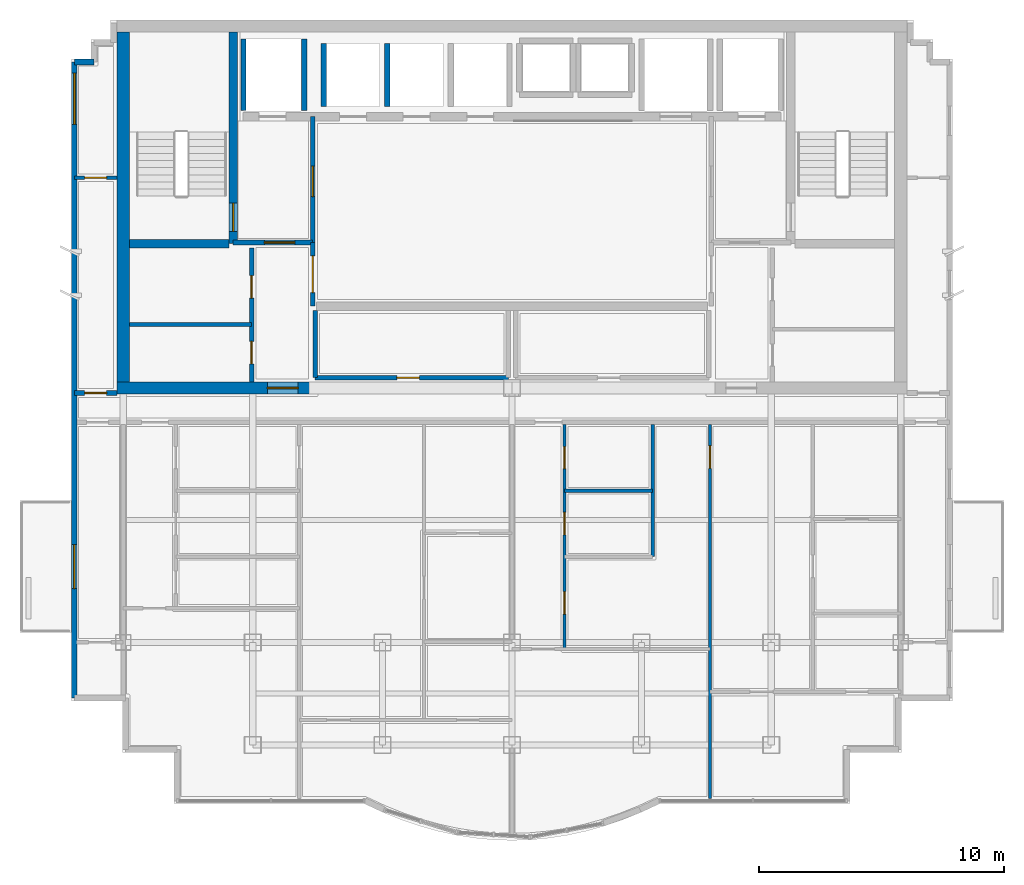
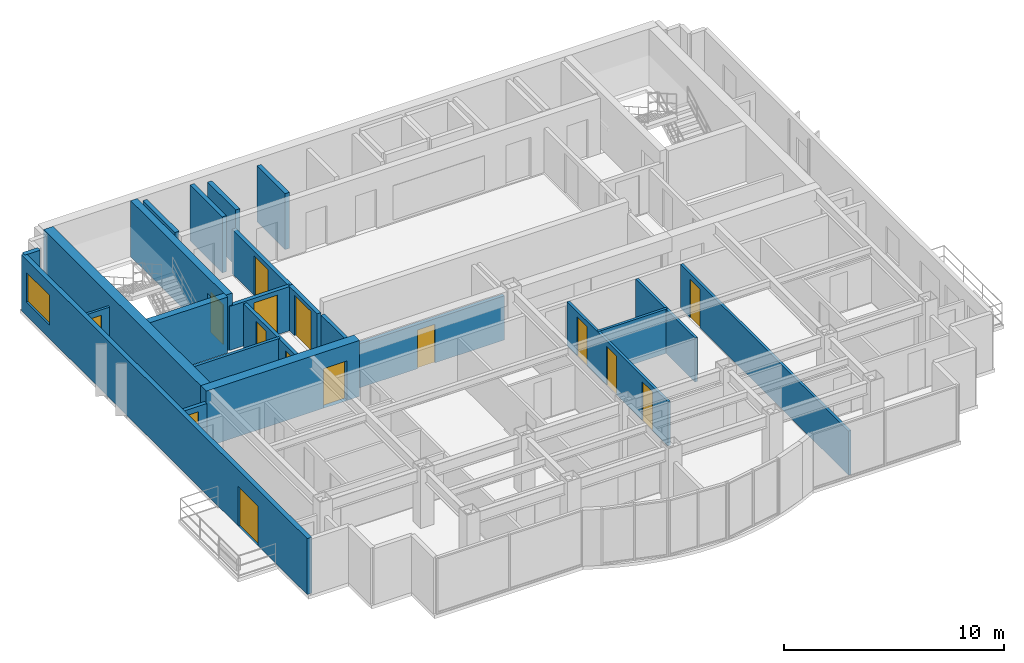
# One storey, part 4 of 9: 23 walls, 15 doors, 1 window, 16 openings.
"""IFC4 building model written with IfcOpenShell, lengths in metres."""

from ifc_helpers import new_model, si_unit, direction, frame, frame_2d, origin, place, context, subcontext, project, spatial, rectangle, extrude, material, layer, layer_set, type_object, element, fill, save


model = new_model("IFC4")

# Units and contexts
model_context = context("Model", 3, precision=1e-05, world=origin(), true_north=direction((0.0, 1.0)))
body_context = subcontext(model_context, "Body", "Model", "MODEL_VIEW")
ifc_project = project(units=[si_unit("LENGTHUNIT", "METRE"), si_unit("AREAUNIT", "SQUARE_METRE"), si_unit("VOLUMEUNIT", "CUBIC_METRE"), si_unit("PLANEANGLEUNIT", "RADIAN"), si_unit("MASSUNIT", "GRAM", prefix="KILO")], contexts=[model_context])

# Site, building, storey
site_placement = place(None, origin())
site = spatial("IfcSite", under=ifc_project, at=site_placement, CompositionType="ELEMENT")
building_placement = place(site_placement, origin())
building = spatial("IfcBuilding", under=site, at=building_placement, Name="Qianlan Lanfeng Residences", CompositionType="ELEMENT")
storey_placement = place(building_placement, frame((0.0, 0.0, 252.800048828125)))
storey = spatial("IfcBuildingStorey", under=building, at=storey_placement, Name="L70", CompositionType="ELEMENT", Elevation=252.800048828125)

# Wall, opening, door
ifc_material_1 = material(Name="Concrete C49", Category="concrete")
ifc_layer_1 = layer(ifc_material_1, 0.35009765625)
ifc_layer_set_1 = layer_set([ifc_layer_1], Name="Concrete C49")
wall_type_1 = type_object("IfcWallType", Name="CW-RC-350", PredefinedType="SHEAR", material=ifc_layer_set_1)
wall_1_placement = place(storey_placement, frame((15.10009765625, 31.10009765625, 0.0), z_axis=(0.0, 0.0, 1.0), x_axis=(0.0, 1.0, 0.0)))
wall_1 = element("IfcWall", 1, at=wall_1_placement, inside=storey, type_object=wall_type_1, Name="L70 Core Shear Wall ST1E", PredefinedType="SHEAR", context=body_context, shape_type="SweptSolid", body=[
    extrude(rectangle(XDim=8.64990234375, YDim=0.35009765625, at=frame_2d((4.324951171875, 0.0))), origin(), (0.0, 0.0, 1.0), 3.10986328125),
])
opening_1_placement = place(wall_1_placement, frame((0.510009765625, 0.0, 0.0)))
opening_1 = element("IfcOpeningElement", 2, at=opening_1_placement, cuts=wall_1, Name="Opening L70-D07", PredefinedType="OPENING", context=body_context, shape_type="SweptSolid", body=[
    extrude(rectangle(XDim=1.14990234375, YDim=2.199951171875, at=frame_2d((0.574951171875, 1.10009765625))), frame((0.0, 0.18505859375, 0.0), z_axis=(0.0, -1.0, 0.0), x_axis=(1.0, 0.0, 0.0)), (0.0, 0.0, 1.0), 0.3701171875),
])
ifc_material_2 = material(Name="Painted Galvanised Steel Fire Door", Category="steel")
door_type_1 = type_object("IfcDoorType", Name="DT-ST1", OperationType="NOTDEFINED", PredefinedType="DOOR", material=ifc_material_2)
door_1_placement = place(opening_1_placement, frame((1.14990234375, 0.0, 0.0), z_axis=(0.0, 0.0, 1.0), x_axis=(-1.0, 0.0, 0.0)))
door_1 = element("IfcDoor", 3, at=door_1_placement, inside=storey, type_object=door_type_1, Name="L70 Exit Stair ST-1 Door L70-D07 (DT-ST1)", OperationType="SINGLE_SWING_RIGHT", OverallHeight=2.199951171875, OverallWidth=1.14990234375, PredefinedType="DOOR", context=body_context, shape_type="SweptSolid", body=[
    extrude(rectangle(XDim=1.14990234375, YDim=2.199951171875, at=frame_2d((0.574951171875, 1.10009765625))), frame((0.0, 0.02490234375, 0.0), z_axis=(0.0, -1.0, 0.0), x_axis=(1.0, 0.0, 0.0)), (0.0, 0.0, 1.0), 0.050048828125),
])
fill(opening_1, door_1)

# Walls
wall_2_placement = place(storey_placement, frame((10.85009765625, 31.10009765625, 0.0), z_axis=(0.0, 0.0, 1.0), x_axis=(1.0, 0.0, 0.0)))
element("IfcWall", 4, at=wall_2_placement, inside=storey, type_object=wall_type_1, Name="L70 Core Shear Wall ST1S", PredefinedType="SHEAR", context=body_context, shape_type="SweptSolid", body=[
    extrude(rectangle(XDim=4.074951171875, YDim=0.35009765625, at=frame_2d((2.03759765625, 0.0))), origin(), (0.0, 0.0, 1.0), 3.10986328125),
])
ifc_material_3 = material(Name="Concrete C70", Category="concrete")
ifc_layer_2 = layer(ifc_material_3, 0.5)
ifc_layer_set_2 = layer_set([ifc_layer_2], Name="Concrete C70")
wall_type_2 = type_object("IfcWallType", Name="CW-RC-500", PredefinedType="SHEAR", material=ifc_layer_set_2)
wall_3_placement = place(storey_placement, frame((10.60009765625, 25.449951171875, 0.0), z_axis=(0.0, 0.0, 1.0), x_axis=(0.0, 1.0, 0.0)))
element("IfcWall", 5, at=wall_3_placement, inside=storey, type_object=wall_type_2, Name="L70 Core Shear Wall W", PredefinedType="SHEAR", context=body_context, shape_type="SweptSolid", body=[
    extrude(rectangle(XDim=14.300048828125, YDim=0.5, at=frame_2d((7.14990234375, 0.0))), origin(), (0.0, 0.0, 1.0), 3.10986328125),
])

# Wall, opening, door
wall_4_placement = place(storey_placement, frame((10.35009765625, 25.199951171875, 0.0), z_axis=(0.0, 0.0, 1.0), x_axis=(1.0, 0.0, 0.0)))
wall_4 = element("IfcWall", 6, at=wall_4_placement, inside=storey, type_object=wall_type_2, Name="L70 Core Shear Wall SW", PredefinedType="SHEAR", context=body_context, shape_type="SweptSolid", body=[
    extrude(rectangle(XDim=8.0498046875, YDim=0.5, at=frame_2d((4.02490234375, 0.0))), origin(), (0.0, 0.0, 1.0), 3.10986328125),
])
opening_2_placement = place(wall_4_placement, frame((6.14990234375, 0.0, 0.0)))
opening_2 = element("IfcOpeningElement", 7, at=opening_2_placement, cuts=wall_4, Name="Opening L70-D01", PredefinedType="OPENING", context=body_context, shape_type="SweptSolid", body=[
    extrude(rectangle(XDim=1.25, YDim=2.199951171875, at=frame_2d((0.625, 1.10009765625))), frame((0.0, 0.260009765625, 0.0), z_axis=(0.0, -1.0, 0.0), x_axis=(1.0, 0.0, 0.0)), (0.0, 0.0, 1.0), 0.52001953125),
])
door_type_2 = type_object("IfcDoorType", Name="DT-FFL", OperationType="NOTDEFINED", PredefinedType="DOOR", material=ifc_material_2)
door_2_placement = place(opening_2_placement, frame((1.25, 0.0, 0.0), z_axis=(0.0, 0.0, 1.0), x_axis=(-1.0, 0.0, 0.0)))
door_2 = element("IfcDoor", 8, at=door_2_placement, inside=storey, type_object=door_type_2, Name="L70 West Core Lobby Smoke Door L70-D01 (DT-FFL)", OperationType="SINGLE_SWING_RIGHT", OverallHeight=2.199951171875, OverallWidth=1.25, PredefinedType="DOOR", context=body_context, shape_type="SweptSolid", body=[
    extrude(rectangle(XDim=1.25, YDim=2.199951171875, at=frame_2d((0.625, 1.10009765625))), frame((0.0, 0.02490234375, 0.0), z_axis=(0.0, -1.0, 0.0), x_axis=(1.0, 0.0, 0.0)), (0.0, 0.0, 1.0), 0.050048828125),
])
fill(opening_2, door_2)

# Wall
ifc_material_4 = material(Name="Concrete C42", Category="concrete")
ifc_layer_3 = layer(ifc_material_4, 0.239990234375)
ifc_layer_set_3 = layer_set([ifc_layer_3], Name="Concrete C42")
wall_type_3 = type_object("IfcWallType", Name="EW-240", PredefinedType="SOLIDWALL", material=ifc_layer_set_3)
wall_5_placement = place(storey_placement, frame((9.39990234375, 38.530029296875, 0.0), z_axis=(0.0, 0.0, 1.0), x_axis=(-1.0, 0.0, 0.0)))
element("IfcWall", 9, at=wall_5_placement, inside=storey, type_object=wall_type_3, Name="L70 Exterior Facade Spandrel Wall 20", PredefinedType="SOLIDWALL", context=body_context, shape_type="SweptSolid", body=[
    extrude(rectangle(XDim=0.7998046875, YDim=0.239990234375, at=frame_2d((0.39990234375, 0.0))), origin(), (0.0, 0.0, 1.0), 3.10986328125),
])

# Wall, openings, door, window
wall_6_placement = place(storey_placement, frame((8.60009765625, 38.530029296875, 0.0), z_axis=(0.0, 0.0, 1.0), x_axis=(0.0, -1.0, 0.0)))
wall_6 = element("IfcWall", 10, at=wall_6_placement, inside=storey, type_object=wall_type_3, Name="L70 Terrace/Balcony Access Exterior Wall 21", PredefinedType="SOLIDWALL", context=body_context, shape_type="SweptSolid", body=[
    extrude(rectangle(XDim=26.010009765625, YDim=0.239990234375, at=frame_2d((13.0048828125, 0.0))), origin(), (0.0, 0.0, 1.0), 3.10986328125),
])
opening_3_placement = place(wall_6_placement, frame((19.72998046875, 0.0, 0.0)))
opening_3 = element("IfcOpeningElement", 11, at=opening_3_placement, cuts=wall_6, Name="Opening L70-D-WB-S", PredefinedType="OPENING", context=body_context, shape_type="SweptSolid", body=[
    extrude(rectangle(XDim=1.800048828125, YDim=2.199951171875, at=frame_2d((0.89990234375, 1.10009765625))), frame((0.0, 0.1298828125, 0.0), z_axis=(0.0, -1.0, 0.0), x_axis=(1.0, 0.0, 0.0)), (0.0, 0.0, 1.0), 0.260009765625),
])
opening_4_placement = place(wall_6_placement, frame((0.449951171875, 0.0, 0.75)))
opening_4 = element("IfcOpeningElement", 12, at=opening_4_placement, cuts=wall_6, Name="Opening W-06", PredefinedType="OPENING", context=body_context, shape_type="SweptSolid", body=[
    extrude(rectangle(XDim=2.10009765625, YDim=1.64990234375, at=frame_2d((1.050048828125, 0.824951171875))), frame((0.0, 0.1298828125, 0.0), z_axis=(0.0, -1.0, 0.0), x_axis=(1.0, 0.0, 0.0)), (0.0, 0.0, 1.0), 0.260009765625),
])
ifc_material_5 = material(Name="Anodised Bronze Aluminium Framed Glass", Category="aluminium")
door_type_3 = type_object("IfcDoorType", Name="DT-BAL1", OperationType="NOTDEFINED", PredefinedType="DOOR", material=ifc_material_5)
door_3_placement = place(opening_3_placement, frame((1.800048828125, 0.0, 0.0), z_axis=(0.0, 0.0, 1.0), x_axis=(-1.0, 0.0, 0.0)))
door_3 = element("IfcDoor", 13, at=door_3_placement, inside=storey, type_object=door_type_3, Name="L70 Exterior Access Door WB-S", OperationType="DOUBLE_DOOR_SLIDING", OverallHeight=2.199951171875, OverallWidth=1.800048828125, PredefinedType="DOOR", context=body_context, shape_type="SweptSolid", body=[
    extrude(rectangle(XDim=1.800048828125, YDim=2.199951171875, at=frame_2d((0.89990234375, 1.10009765625))), frame((0.0, 0.02490234375, 0.0), z_axis=(0.0, -1.0, 0.0), x_axis=(1.0, 0.0, 0.0)), (0.0, 0.0, 1.0), 0.050048828125),
])
fill(opening_3, door_3)
ifc_material_6 = material(Name="Anodised Bronze Aluminium Framed Double Glazing", Category="aluminium")
window_type = type_object("IfcWindowType", Name="W-06", PartitioningType="SINGLE_PANEL", PredefinedType="WINDOW", material=ifc_material_6)
window_placement = place(opening_4_placement, origin())
window = element("IfcWindow", 14, at=window_placement, inside=storey, type_object=window_type, Name="L70 Exterior Window W-06", OverallHeight=1.64990234375, OverallWidth=2.10009765625, PartitioningType="SINGLE_PANEL", PredefinedType="WINDOW", context=body_context, shape_type="SweptSolid", body=[
    extrude(rectangle(XDim=2.10009765625, YDim=1.64990234375, at=frame_2d((1.050048828125, 0.824951171875))), frame((0.0, 0.030029296875, 0.0), z_axis=(0.0, -1.0, 0.0), x_axis=(1.0, 0.0, 0.0)), (0.0, 0.0, 1.0), 0.06005859375),
])
fill(opening_4, window)

# Wall, opening, door
ifc_material_7 = material(Name="Moisture-Resistant Gypsum Partition 135 mm")
ifc_layer_4 = layer(ifc_material_7, 0.135009765625)
ifc_layer_set_4 = layer_set([ifc_layer_4], Name="Moisture-Resistant Gypsum Partition 135 mm")
wall_type_4 = type_object("IfcWallType", Name="PW-135", PredefinedType="PARTITIONING", material=ifc_layer_set_4)
wall_7_placement = place(storey_placement, frame((34.60009765625, 8.419921875, 0.0), z_axis=(0.0, 0.0, 1.0), x_axis=(0.0, 1.0, 0.0)))
wall_7 = element("IfcWall", 15, at=wall_7_placement, inside=storey, type_object=wall_type_4, Name="L70 U02 Bay Spine Wall 1", PredefinedType="PARTITIONING", context=body_context, shape_type="SweptSolid", body=[
    extrude(rectangle(XDim=15.280029296875, YDim=0.135009765625, at=frame_2d((7.64013671875, 0.0))), origin(), (0.0, 0.0, 1.0), 2.449951171875),
])
opening_5_placement = place(wall_7_placement, frame((13.4951171875, 0.0, 0.0)))
opening_5 = element("IfcOpeningElement", 16, at=opening_5_placement, cuts=wall_7, Name="Opening L70-D28", PredefinedType="OPENING", context=body_context, shape_type="SweptSolid", body=[
    extrude(rectangle(XDim=0.919921875, YDim=2.14990234375, at=frame_2d((0.4599609375, 1.074951171875))), frame((0.0, 0.07763671875, 0.0), z_axis=(0.0, -1.0, 0.0), x_axis=(1.0, 0.0, 0.0)), (0.0, 0.0, 1.0), 0.155029296875),
])
ifc_material_8 = material(Name="Glazed Timber Kitchen/Study Door", Category="wood")
door_type_4 = type_object("IfcDoorType", Name="DT-INT", OperationType="NOTDEFINED", PredefinedType="DOOR", material=ifc_material_8)
door_4_placement = place(opening_5_placement, origin())
door_4 = element("IfcDoor", 17, at=door_4_placement, inside=storey, type_object=door_type_4, Name="L70 U02 Internal Hall Door L70-D28 (DT-INT)", OperationType="SINGLE_SWING_RIGHT", OverallHeight=2.14990234375, OverallWidth=0.919921875, PredefinedType="DOOR", context=body_context, shape_type="SweptSolid", body=[
    extrude(rectangle(XDim=0.919921875, YDim=2.14990234375, at=frame_2d((0.4599609375, 1.074951171875))), frame((0.0, 0.02490234375, 0.0), z_axis=(0.0, -1.0, 0.0), x_axis=(1.0, 0.0, 0.0)), (0.0, 0.0, 1.0), 0.050048828125),
])
fill(opening_5, door_4)

# Wall, openings, doors
wall_8_placement = place(storey_placement, frame((28.64990234375, 14.52587890625, 0.0), z_axis=(0.0, 0.0, 1.0), x_axis=(0.0, 1.0, 0.0)))
wall_8 = element("IfcWall", 18, at=wall_8_placement, inside=storey, type_object=wall_type_4, Name="L70 U02 Entry Hall Spine", PredefinedType="PARTITIONING", context=body_context, shape_type="SweptSolid", body=[
    extrude(rectangle(XDim=9.174072265625, YDim=0.135009765625, at=frame_2d((4.5869140625, 0.0))), origin(), (0.0, 0.0, 1.0), 2.449951171875),
])
opening_6_placement = place(wall_8_placement, frame((1.427001953125, 0.0, 0.0)))
opening_6 = element("IfcOpeningElement", 19, at=opening_6_placement, cuts=wall_8, Name="Opening L70-D30", PredefinedType="OPENING", context=body_context, shape_type="SweptSolid", body=[
    extrude(rectangle(XDim=0.919921875, YDim=2.14990234375, at=frame_2d((0.4599609375, 1.074951171875))), frame((0.0, 0.07763671875, 0.0), z_axis=(0.0, -1.0, 0.0), x_axis=(1.0, 0.0, 0.0)), (0.0, 0.0, 1.0), 0.155029296875),
])
opening_7_placement = place(wall_8_placement, frame((4.6640625, 0.0, 0.0)))
opening_7 = element("IfcOpeningElement", 20, at=opening_7_placement, cuts=wall_8, Name="Opening L70-D31", PredefinedType="OPENING", context=body_context, shape_type="SweptSolid", body=[
    extrude(rectangle(XDim=0.919921875, YDim=2.14990234375, at=frame_2d((0.4599609375, 1.074951171875))), frame((0.0, 0.07763671875, 0.0), z_axis=(0.0, -1.0, 0.0), x_axis=(1.0, 0.0, 0.0)), (0.0, 0.0, 1.0), 0.155029296875),
])
opening_8_placement = place(wall_8_placement, frame((7.3740234375, 0.0, 0.0)))
opening_8 = element("IfcOpeningElement", 21, at=opening_8_placement, cuts=wall_8, Name="Opening L70-D32", PredefinedType="OPENING", context=body_context, shape_type="SweptSolid", body=[
    extrude(rectangle(XDim=0.89990234375, YDim=2.14990234375, at=frame_2d((0.449951171875, 1.074951171875))), frame((0.0, 0.07763671875, 0.0), z_axis=(0.0, -1.0, 0.0), x_axis=(1.0, 0.0, 0.0)), (0.0, 0.0, 1.0), 0.155029296875),
])
door_5_placement = place(opening_6_placement, origin())
door_5 = element("IfcDoor", 22, at=door_5_placement, inside=storey, type_object=door_type_4, Name="L70 U02 Study Door L70-D30 (DT-INT)", OperationType="SINGLE_SWING_RIGHT", OverallHeight=2.14990234375, OverallWidth=0.919921875, PredefinedType="DOOR", context=body_context, shape_type="SweptSolid", body=[
    extrude(rectangle(XDim=0.919921875, YDim=2.14990234375, at=frame_2d((0.4599609375, 1.074951171875))), frame((0.0, 0.02490234375, 0.0), z_axis=(0.0, -1.0, 0.0), x_axis=(1.0, 0.0, 0.0)), (0.0, 0.0, 1.0), 0.050048828125),
])
fill(opening_6, door_5)
door_6_placement = place(opening_7_placement, origin())
door_6 = element("IfcDoor", 23, at=door_6_placement, inside=storey, type_object=door_type_4, Name="L70 U02 Kitchen Door L70-D31 (DT-INT)", OperationType="SINGLE_SWING_LEFT", OverallHeight=2.14990234375, OverallWidth=0.919921875, PredefinedType="DOOR", context=body_context, shape_type="SweptSolid", body=[
    extrude(rectangle(XDim=0.919921875, YDim=2.14990234375, at=frame_2d((0.4599609375, 1.074951171875))), frame((0.0, 0.02490234375, 0.0), z_axis=(0.0, -1.0, 0.0), x_axis=(1.0, 0.0, 0.0)), (0.0, 0.0, 1.0), 0.050048828125),
])
fill(opening_7, door_6)
ifc_material_9 = material(Name="Moisture-Resistant Timber Leaf", Category="wood")
door_type_5 = type_object("IfcDoorType", Name="DT-WC", OperationType="NOTDEFINED", PredefinedType="DOOR", material=ifc_material_9)
door_7_placement = place(opening_8_placement, origin())
door_7 = element("IfcDoor", 24, at=door_7_placement, inside=storey, type_object=door_type_5, Name="L70 U02 Bathroom Door L70-D32 (DT-WC)", OperationType="SINGLE_SWING_RIGHT", OverallHeight=2.14990234375, OverallWidth=0.89990234375, PredefinedType="DOOR", context=body_context, shape_type="SweptSolid", body=[
    extrude(rectangle(XDim=0.89990234375, YDim=2.14990234375, at=frame_2d((0.449951171875, 1.074951171875))), frame((0.0, 0.02490234375, 0.0), z_axis=(0.0, -1.0, 0.0), x_axis=(1.0, 0.0, 0.0)), (0.0, 0.0, 1.0), 0.050048828125),
])
fill(opening_8, door_7)

# Walls
wall_9_placement = place(storey_placement, frame((32.25, 18.300048828125, 0.0), z_axis=(0.0, 0.0, 1.0), x_axis=(0.0, 1.0, 0.0)))
element("IfcWall", 25, at=wall_9_placement, inside=storey, type_object=wall_type_4, Name="L70 U02 Dining East Wall", PredefinedType="PARTITIONING", context=body_context, shape_type="SweptSolid", body=[
    extrude(rectangle(XDim=5.39990234375, YDim=0.135009765625, at=frame_2d((2.699951171875, 0.0))), origin(), (0.0, 0.0, 1.0), 2.449951171875),
])
wall_10_placement = place(storey_placement, frame((28.64990234375, 21.0, 0.0), z_axis=(0.0, 0.0, 1.0), x_axis=(1.0, 0.0, 0.0)))
element("IfcWall", 26, at=wall_10_placement, inside=storey, type_object=wall_type_4, Name="L70 U02 Bathroom South Wall", PredefinedType="PARTITIONING", context=body_context, shape_type="SweptSolid", body=[
    extrude(rectangle(XDim=3.60009765625, YDim=0.135009765625, at=frame_2d((1.800048828125, 0.0))), origin(), (0.0, 0.0, 1.0), 2.449951171875),
])

# Wall, opening, door
wall_11_placement = place(storey_placement, frame((8.60009765625, 33.800048828125, 0.0), z_axis=(0.0, 0.0, 1.0), x_axis=(1.0, 0.0, 0.0)))
wall_11 = element("IfcWall", 27, at=wall_11_placement, inside=storey, type_object=wall_type_4, Name="L70 WW North Wing Wall", PredefinedType="PARTITIONING", context=body_context, shape_type="SweptSolid", body=[
    extrude(rectangle(XDim=1.75, YDim=0.135009765625, at=frame_2d((0.875, 0.0))), origin(), (0.0, 0.0, 1.0), 2.449951171875),
])
opening_9_placement = place(wall_11_placement, frame((0.425048828125, 0.0, 0.0)))
opening_9 = element("IfcOpeningElement", 28, at=opening_9_placement, cuts=wall_11, Name="Opening L70-D41", PredefinedType="OPENING", context=body_context, shape_type="SweptSolid", body=[
    extrude(rectangle(XDim=0.89990234375, YDim=2.14990234375, at=frame_2d((0.449951171875, 1.074951171875))), frame((0.0, 0.07763671875, 0.0), z_axis=(0.0, -1.0, 0.0), x_axis=(1.0, 0.0, 0.0)), (0.0, 0.0, 1.0), 0.155029296875),
])
door_8_placement = place(opening_9_placement, origin())
door_8 = element("IfcDoor", 29, at=door_8_placement, inside=storey, type_object=door_type_5, Name="L70 WW Inner Salon Door L70-D41 (DT-WC)", OperationType="SINGLE_SWING_LEFT", OverallHeight=2.14990234375, OverallWidth=0.89990234375, PredefinedType="DOOR", context=body_context, shape_type="SweptSolid", body=[
    extrude(rectangle(XDim=0.89990234375, YDim=2.14990234375, at=frame_2d((0.449951171875, 1.074951171875))), frame((0.0, 0.02490234375, 0.0), z_axis=(0.0, -1.0, 0.0), x_axis=(1.0, 0.0, 0.0)), (0.0, 0.0, 1.0), 0.050048828125),
])
fill(opening_9, door_8)

# Wall
ifc_material_10 = material(Name="Acoustic Drywall Partition 150 mm")
ifc_layer_5 = layer(ifc_material_10, 0.14990234375)
ifc_layer_set_5 = layer_set([ifc_layer_5], Name="Acoustic Drywall Partition 150 mm")
wall_type_5 = type_object("IfcWallType", Name="PW-150", PredefinedType="PARTITIONING", material=ifc_layer_set_5)
wall_12_placement = place(storey_placement, frame((10.85009765625, 27.800048828125, 0.0), z_axis=(0.0, 0.0, 1.0), x_axis=(1.0, 0.0, 0.0)))
element("IfcWall", 30, at=wall_12_placement, inside=storey, type_object=wall_type_5, Name="L70 Core West Split", PredefinedType="PARTITIONING", context=body_context, shape_type="SweptSolid", body=[
    extrude(rectangle(XDim=5.0, YDim=0.14990234375, at=frame_2d((2.5, 0.0))), origin(), (0.0, 0.0, 1.0), 2.449951171875),
])

# Wall, openings, doors
ifc_material_11 = material(Name="Double-Layer Acoustic Gypsum Stud Wall 180 mm")
ifc_layer_6 = layer(ifc_material_11, 0.179931640625)
ifc_layer_set_6 = layer_set([ifc_layer_6], Name="Double-Layer Acoustic Gypsum Stud Wall 180 mm")
wall_type_6 = type_object("IfcWallType", Name="PW-180", PredefinedType="PARTITIONING", material=ifc_layer_set_6)
wall_13_placement = place(storey_placement, frame((15.85009765625, 25.449951171875, 0.0), z_axis=(0.0, 0.0, 1.0), x_axis=(0.0, 1.0, 0.0)))
wall_13 = element("IfcWall", 31, at=wall_13_placement, inside=storey, type_object=wall_type_6, Name="L70 Core West Service Room Wall", PredefinedType="PARTITIONING", context=body_context, shape_type="SweptSolid", body=[
    extrude(rectangle(XDim=5.47509765625, YDim=0.179931640625, at=frame_2d((2.737548828125, 0.0))), origin(), (0.0, 0.0, 1.0), 2.449951171875),
])
opening_10_placement = place(wall_13_placement, frame((0.739990234375, 0.0, 0.0)))
opening_10 = element("IfcOpeningElement", 32, at=opening_10_placement, cuts=wall_13, Name="Opening L70-D09", PredefinedType="OPENING", context=body_context, shape_type="SweptSolid", body=[
    extrude(rectangle(XDim=0.919921875, YDim=2.14990234375, at=frame_2d((0.4599609375, 1.074951171875))), frame((0.0, 0.10009765625, 0.0), z_axis=(0.0, -1.0, 0.0), x_axis=(1.0, 0.0, 0.0)), (0.0, 0.0, 1.0), 0.199951171875),
])
opening_11_placement = place(wall_13_placement, frame((3.427001953125, 0.0, 0.0)))
opening_11 = element("IfcOpeningElement", 33, at=opening_11_placement, cuts=wall_13, Name="Opening L70-D10", PredefinedType="OPENING", context=body_context, shape_type="SweptSolid", body=[
    extrude(rectangle(XDim=0.919921875, YDim=2.14990234375, at=frame_2d((0.4599609375, 1.074951171875))), frame((0.0, 0.10009765625, 0.0), z_axis=(0.0, -1.0, 0.0), x_axis=(1.0, 0.0, 0.0)), (0.0, 0.0, 1.0), 0.199951171875),
])
door_9_placement = place(opening_10_placement, origin())
door_9 = element("IfcDoor", 34, at=door_9_placement, inside=storey, type_object=door_type_4, Name="L70 Parcel Room Door L70-D09 (DT-INT)", OperationType="SINGLE_SWING_LEFT", OverallHeight=2.14990234375, OverallWidth=0.919921875, PredefinedType="DOOR", context=body_context, shape_type="SweptSolid", body=[
    extrude(rectangle(XDim=0.919921875, YDim=2.14990234375, at=frame_2d((0.4599609375, 1.074951171875))), frame((0.0, 0.02490234375, 0.0), z_axis=(0.0, -1.0, 0.0), x_axis=(1.0, 0.0, 0.0)), (0.0, 0.0, 1.0), 0.050048828125),
])
fill(opening_10, door_9)
door_10_placement = place(opening_11_placement, origin())
door_10 = element("IfcDoor", 35, at=door_10_placement, inside=storey, type_object=door_type_4, Name="L70 Janitor Closet Door L70-D10 (DT-INT)", OperationType="SINGLE_SWING_RIGHT", OverallHeight=2.14990234375, OverallWidth=0.919921875, PredefinedType="DOOR", context=body_context, shape_type="SweptSolid", body=[
    extrude(rectangle(XDim=0.919921875, YDim=2.14990234375, at=frame_2d((0.4599609375, 1.074951171875))), frame((0.0, 0.02490234375, 0.0), z_axis=(0.0, -1.0, 0.0), x_axis=(1.0, 0.0, 0.0)), (0.0, 0.0, 1.0), 0.050048828125),
])
fill(opening_11, door_10)

# Wall
wall_14_placement = place(storey_placement, frame((18.449951171875, 25.6201171875, 0.0), z_axis=(0.0, 0.0, 1.0), x_axis=(0.0, 1.0, 0.0)))
element("IfcWall", 36, at=wall_14_placement, inside=storey, type_object=wall_type_6, Name="L70 Reclaimed Low-Bank Room West Wall", PredefinedType="PARTITIONING", context=body_context, shape_type="SweptSolid", body=[
    extrude(rectangle(XDim=2.7548828125, YDim=0.179931640625, at=frame_2d((1.37744140625, 0.0))), origin(), (0.0, 0.0, 1.0), 2.449951171875),
])

# Wall, opening, door
wall_15_placement = place(storey_placement, frame((18.449951171875, 25.6201171875, 0.0), z_axis=(0.0, 0.0, 1.0), x_axis=(1.0, 0.0, 0.0)))
wall_15 = element("IfcWall", 37, at=wall_15_placement, inside=storey, type_object=wall_type_6, Name="L70 Reclaimed Low-Bank Room South Wall", PredefinedType="PARTITIONING", context=body_context, shape_type="SweptSolid", body=[
    extrude(rectangle(XDim=7.900146484375, YDim=0.179931640625, at=frame_2d((3.9501953125, 0.0))), origin(), (0.0, 0.0, 1.0), 2.449951171875),
])
opening_12_placement = place(wall_15_placement, frame((3.340087890625, 0.0, 0.0)))
opening_12 = element("IfcOpeningElement", 38, at=opening_12_placement, cuts=wall_15, Name="Opening L70-D15", PredefinedType="OPENING", context=body_context, shape_type="SweptSolid", body=[
    extrude(rectangle(XDim=0.919921875, YDim=2.14990234375, at=frame_2d((0.4599609375, 1.074951171875))), frame((0.0, 0.10009765625, 0.0), z_axis=(0.0, -1.0, 0.0), x_axis=(1.0, 0.0, 0.0)), (0.0, 0.0, 1.0), 0.199951171875),
])
door_11_placement = place(opening_12_placement, origin())
door_11 = element("IfcDoor", 39, at=door_11_placement, inside=storey, type_object=door_type_4, Name="L70 Reclaimed Core Salon Door L70-D15 (DT-INT)", OperationType="SINGLE_SWING_LEFT", OverallHeight=2.14990234375, OverallWidth=0.919921875, PredefinedType="DOOR", context=body_context, shape_type="SweptSolid", body=[
    extrude(rectangle(XDim=0.919921875, YDim=2.14990234375, at=frame_2d((0.4599609375, 1.074951171875))), frame((0.0, 0.02490234375, 0.0), z_axis=(0.0, -1.0, 0.0), x_axis=(1.0, 0.0, 0.0)), (0.0, 0.0, 1.0), 0.050048828125),
])
fill(opening_12, door_11)

ifc_material_12 = material(Name="Autoclaved Aerated Concrete Blockwork 200 mm", Category="masonry")
ifc_layer_7 = layer(ifc_material_12, 0.199951171875)
ifc_layer_set_7 = layer_set([ifc_layer_7], Name="Autoclaved Aerated Concrete Blockwork 200 mm")
wall_type_7 = type_object("IfcWallType", Name="PW-200", PredefinedType="PARTITIONING", material=ifc_layer_set_7)
wall_16_placement = place(storey_placement, frame((15.10009765625, 31.14990234375, 0.0), z_axis=(0.0, 0.0, 1.0), x_axis=(1.0, 0.0, 0.0)))
wall_16 = element("IfcWall", 40, at=wall_16_placement, inside=storey, type_object=wall_type_7, Name="L70 Firefighting Lobby 1 South Wall", PredefinedType="PARTITIONING", context=body_context, shape_type="SweptSolid", body=[
    extrude(rectangle(XDim=3.25, YDim=0.199951171875, at=frame_2d((1.625, 0.0))), origin(), (0.0, 0.0, 1.0), 2.449951171875),
])
opening_13_placement = place(wall_16_placement, frame((1.27490234375, 0.0, 0.0)))
opening_13 = element("IfcOpeningElement", 41, at=opening_13_placement, cuts=wall_16, Name="Opening L70-D03", PredefinedType="OPENING", context=body_context, shape_type="SweptSolid", body=[
    extrude(rectangle(XDim=1.25, YDim=2.199951171875, at=frame_2d((0.625, 1.10009765625))), frame((0.0, 0.10986328125, 0.0), z_axis=(0.0, -1.0, 0.0), x_axis=(1.0, 0.0, 0.0)), (0.0, 0.0, 1.0), 0.219970703125),
])
door_12_placement = place(opening_13_placement, origin())
door_12 = element("IfcDoor", 42, at=door_12_placement, inside=storey, type_object=door_type_2, Name="L70 Firefighting Lobby 1 Entry Door L70-D03 (DT-FFL)", OperationType="SINGLE_SWING_LEFT", OverallHeight=2.199951171875, OverallWidth=1.25, PredefinedType="DOOR", context=body_context, shape_type="SweptSolid", body=[
    extrude(rectangle(XDim=1.25, YDim=2.199951171875, at=frame_2d((0.625, 1.10009765625))), frame((0.0, 0.02490234375, 0.0), z_axis=(0.0, -1.0, 0.0), x_axis=(1.0, 0.0, 0.0)), (0.0, 0.0, 1.0), 0.050048828125),
])
fill(opening_13, door_12)

wall_17_placement = place(storey_placement, frame((18.35009765625, 31.14990234375, 0.0), z_axis=(0.0, 0.0, 1.0), x_axis=(0.0, 1.0, 0.0)))
wall_17 = element("IfcWall", 43, at=wall_17_placement, inside=storey, type_object=wall_type_7, Name="L70 Firefighting Lobby 1 East Wall", PredefinedType="PARTITIONING", context=body_context, shape_type="SweptSolid", body=[
    extrude(rectangle(XDim=5.150146484375, YDim=0.199951171875, at=frame_2d((2.5751953125, 0.0))), origin(), (0.0, 0.0, 1.0), 2.449951171875),
])
opening_14_placement = place(wall_17_placement, frame((1.875, 0.0, 0.0)))
opening_14 = element("IfcOpeningElement", 44, at=opening_14_placement, cuts=wall_17, Name="Opening L70-D04", PredefinedType="OPENING", context=body_context, shape_type="SweptSolid", body=[
    extrude(rectangle(XDim=1.25, YDim=2.199951171875, at=frame_2d((0.625, 1.10009765625))), frame((0.0, 0.10986328125, 0.0), z_axis=(0.0, -1.0, 0.0), x_axis=(1.0, 0.0, 0.0)), (0.0, 0.0, 1.0), 0.219970703125),
])
door_13_placement = place(opening_14_placement, origin())
door_13 = element("IfcDoor", 45, at=door_13_placement, inside=storey, type_object=door_type_2, Name="L70 Firefighting Lobby 1 Lift Lobby Door L70-D04 (DT-FFL)", OperationType="SINGLE_SWING_RIGHT", OverallHeight=2.199951171875, OverallWidth=1.25, PredefinedType="DOOR", context=body_context, shape_type="SweptSolid", body=[
    extrude(rectangle(XDim=1.25, YDim=2.199951171875, at=frame_2d((0.625, 1.10009765625))), frame((0.0, 0.02490234375, 0.0), z_axis=(0.0, -1.0, 0.0), x_axis=(1.0, 0.0, 0.0)), (0.0, 0.0, 1.0), 0.050048828125),
])
fill(opening_14, door_13)

wall_18_placement = place(storey_placement, frame((18.35009765625, 28.550048828125, 0.0), z_axis=(0.0, 0.0, 1.0), x_axis=(0.0, 1.0, 0.0)))
wall_18 = element("IfcWall", 46, at=wall_18_placement, inside=storey, type_object=wall_type_7, Name="L70 Lift Lobby West Connector Wall", PredefinedType="PARTITIONING", context=body_context, shape_type="SweptSolid", body=[
    extrude(rectangle(XDim=2.599853515625, YDim=0.199951171875, at=frame_2d((1.2998046875, 0.0))), origin(), (0.0, 0.0, 1.0), 2.449951171875),
])
opening_15_placement = place(wall_18_placement, frame((0.550048828125, 0.0, 0.0)))
opening_15 = element("IfcOpeningElement", 47, at=opening_15_placement, cuts=wall_18, Name="Opening L70-D13", PredefinedType="OPENING", context=body_context, shape_type="SweptSolid", body=[
    extrude(rectangle(XDim=1.5, YDim=2.25, at=frame_2d((0.75, 1.125))), frame((0.0, 0.10986328125, 0.0), z_axis=(0.0, -1.0, 0.0), x_axis=(1.0, 0.0, 0.0)), (0.0, 0.0, 1.0), 0.219970703125),
])
ifc_material_13 = material(Name="Timber Veneer Acoustic Fire Door", Category="wood")
door_type_6 = type_object("IfcDoorType", Name="DT-COR1", OperationType="NOTDEFINED", PredefinedType="DOOR", material=ifc_material_13)
door_14_placement = place(opening_15_placement, origin())
door_14 = element("IfcDoor", 48, at=door_14_placement, inside=storey, type_object=door_type_6, Name="L70 Lift Lobby West Portal Door L70-D13 (DT-COR1)", OperationType="DOUBLE_DOOR_SINGLE_SWING", OverallHeight=2.25, OverallWidth=1.5, PredefinedType="DOOR", context=body_context, shape_type="SweptSolid", body=[
    extrude(rectangle(XDim=1.5, YDim=2.25, at=frame_2d((0.75, 1.125))), frame((0.0, 0.02490234375, 0.0), z_axis=(0.0, -1.0, 0.0), x_axis=(1.0, 0.0, 0.0)), (0.0, 0.0, 1.0), 0.050048828125),
])
fill(opening_15, door_14)

wall_19_placement = place(storey_placement, frame((8.60009765625, 25.0, 0.0), z_axis=(0.0, 0.0, 1.0), x_axis=(1.0, 0.0, 0.0)))
wall_19 = element("IfcWall", 49, at=wall_19_placement, inside=storey, type_object=wall_type_7, Name="L70 Corridor NW Wall", PredefinedType="PARTITIONING", context=body_context, shape_type="SweptSolid", body=[
    extrude(rectangle(XDim=1.75, YDim=0.199951171875, at=frame_2d((0.875, 0.0))), origin(), (0.0, 0.0, 1.0), 2.449951171875),
])
opening_16_placement = place(wall_19_placement, frame((0.425048828125, 0.0, 0.0)))
opening_16 = element("IfcOpeningElement", 50, at=opening_16_placement, cuts=wall_19, Name="Opening L70-D42", PredefinedType="OPENING", context=body_context, shape_type="SweptSolid", body=[
    extrude(rectangle(XDim=0.89990234375, YDim=2.14990234375, at=frame_2d((0.449951171875, 1.074951171875))), frame((0.0, 0.10986328125, 0.0), z_axis=(0.0, -1.0, 0.0), x_axis=(1.0, 0.0, 0.0)), (0.0, 0.0, 1.0), 0.219970703125),
])
door_15_placement = place(opening_16_placement, frame((0.89990234375, 0.0, 0.0), z_axis=(0.0, 0.0, 1.0), x_axis=(-1.0, 0.0, 0.0)))
door_15 = element("IfcDoor", 51, at=door_15_placement, inside=storey, type_object=door_type_5, Name="L70 WW Amenity Salon Door L70-D42 (DT-WC)", OperationType="SINGLE_SWING_RIGHT", OverallHeight=2.14990234375, OverallWidth=0.89990234375, PredefinedType="DOOR", context=body_context, shape_type="SweptSolid", body=[
    extrude(rectangle(XDim=0.89990234375, YDim=2.14990234375, at=frame_2d((0.449951171875, 1.074951171875))), frame((0.0, 0.02490234375, 0.0), z_axis=(0.0, -1.0, 0.0), x_axis=(1.0, 0.0, 0.0)), (0.0, 0.0, 1.0), 0.050048828125),
])
fill(opening_16, door_15)

# Walls
ifc_layer_8 = layer(ifc_material_1, 0.219970703125)
ifc_layer_set_8 = layer_set([ifc_layer_8], Name="Concrete C49")
wall_type_8 = type_object("IfcWallType", Name="SHW-220", PredefinedType="SOLIDWALL", material=ifc_layer_set_8)
for number, where, z_axis, x_axis, name in (
    (52, (15.52001953125, 36.550048828125, 0.0), (0.0, 0.0, 1.0), (0.0, 1.0, 0.0), "L70 Lift FFL-1 Shaft Wall W"),
    (53, (18.0, 36.550048828125, 0.0), (0.0, 0.0, 1.0), (0.0, 1.0, 0.0), "L70 Lift FFL-1 Shaft Wall E"),
):
    element("IfcWall", number, at=place(storey_placement, frame(where, z_axis=z_axis, x_axis=x_axis)), inside=storey, type_object=wall_type_8, Name=name, PredefinedType="SOLIDWALL", context=body_context, shape_type="SweptSolid", body=[
        extrude(rectangle(XDim=2.929931640625, YDim=0.219970703125, at=frame_2d((1.46484375, 0.0))), origin(), (0.0, 0.0, 1.0), 3.10986328125),
    ])
for number, where, z_axis, x_axis, name in (
    (54, (18.800048828125, 36.719970703125, 0.0), (0.0, 0.0, 1.0), (0.0, 1.0, 0.0), "L70 Lift PL-H1 Shaft Wall W"),
    (55, (21.39990234375, 36.719970703125, 0.0), (0.0, 0.0, 1.0), (0.0, 1.0, 0.0), "L70 Lift PL-H2 Shaft Wall W"),
):
    element("IfcWall", number, at=place(storey_placement, frame(where, z_axis=z_axis, x_axis=x_axis)), inside=storey, type_object=wall_type_8, Name=name, PredefinedType="SOLIDWALL", context=body_context, shape_type="SweptSolid", body=[
        extrude(rectangle(XDim=2.56005859375, YDim=0.219970703125, at=frame_2d((1.280029296875, 0.0))), origin(), (0.0, 0.0, 1.0), 3.10986328125),
    ])

save(model, "model.ifc")
